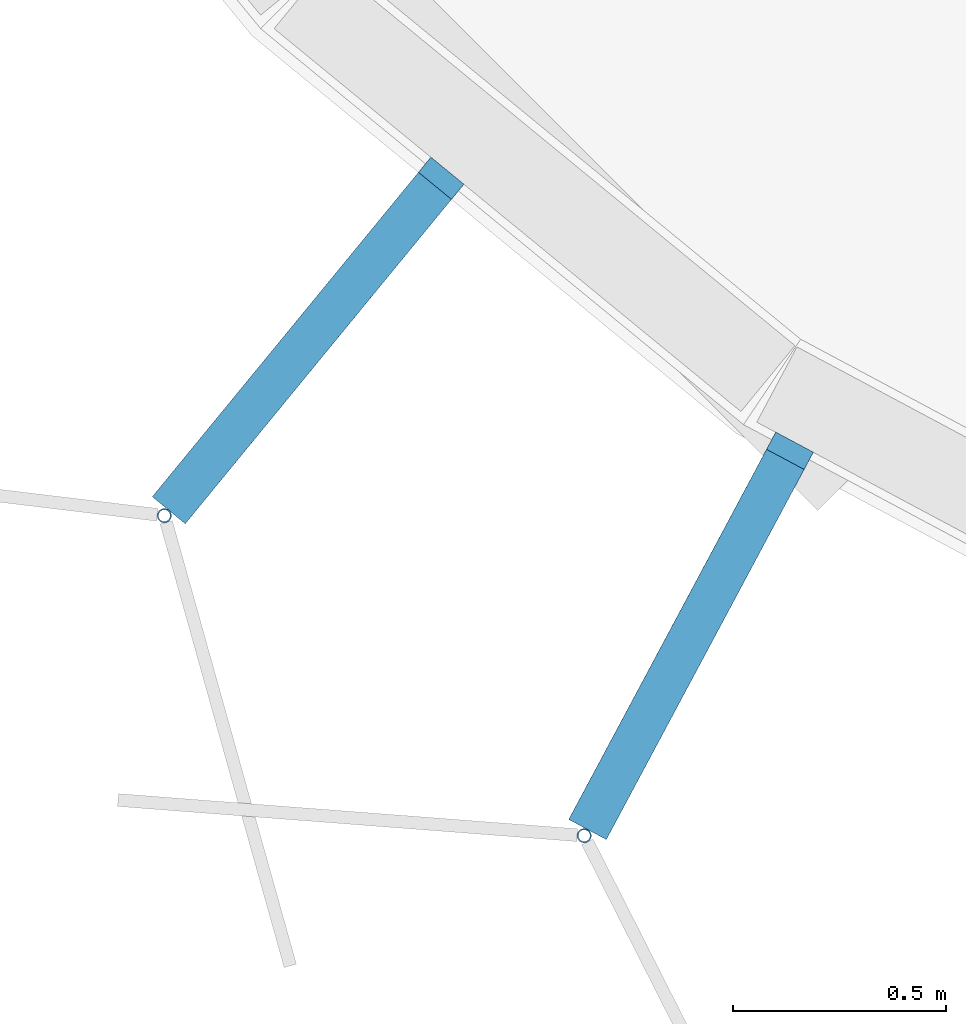
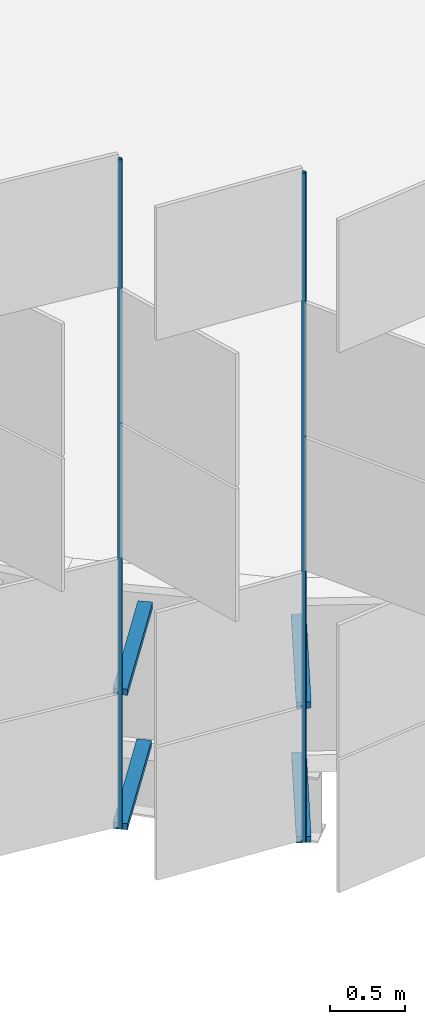
# One storey, part 131 of 483: 6 discrete accessories.
"""IFC4 building model written with IfcOpenShell, lengths in metres."""

from ifc_helpers import new_model, si_unit, direction, frame, origin, origin_2d, place, context, subcontext, project, spatial, rectangle, hollow_circle, extrude, material, material_profile, profile_set, type_object, element, save


model = new_model("IFC4")

# Units and contexts
model_context = context("Model", 3, precision=1e-05, world=origin(), true_north=direction((0.0, 1.0)))
body_context = subcontext(model_context, "Body", "Model", "MODEL_VIEW")
ifc_project = project(units=[si_unit("LENGTHUNIT", "METRE"), si_unit("AREAUNIT", "SQUARE_METRE"), si_unit("VOLUMEUNIT", "CUBIC_METRE"), si_unit("PLANEANGLEUNIT", "RADIAN"), si_unit("MASSUNIT", "GRAM", prefix="KILO")], contexts=[model_context])

# Site, building, storey
site_placement = place(None, origin())
site = spatial("IfcSite", under=ifc_project, at=site_placement, CompositionType="ELEMENT")
building_placement = place(site_placement, origin())
building = spatial("IfcBuilding", under=site, at=building_placement, Name="Parallax Yard Mobility Hub", CompositionType="ELEMENT")
storey_placement = place(building_placement, frame((0.0, 0.0, 13.199951171875)))
storey = spatial("IfcBuildingStorey", under=building, at=storey_placement, Name="L04", CompositionType="ELEMENT", Elevation=13.199951171875)

# Discrete accessories
ifc_material_1 = material(Name="Steel ASTM A36, hot-dip galvanised", Category="steel")
discrete_accessory_type_1 = type_object("IfcDiscreteAccessoryType", Name="Hinge bracket plate 100x50", PredefinedType="BRACKET", material=ifc_material_1)
discrete_accessory_1_placement = place(storey_placement, frame((24.813720703125, 113.964599609375, -0.02490234375), z_axis=(0.0, 0.0, 1.0), x_axis=(-0.634393284164, -0.773010453363, 0.0)))
element("IfcDiscreteAccessory", 1, at=discrete_accessory_1_placement, inside=storey, type_object=discrete_accessory_type_1, Name="Hinge bracket plate bay 72.7 level L04", PredefinedType="BRACKET", context=body_context, shape_type="SweptSolid", body=[
    extrude(rectangle(XDim=0.984130859375, YDim=0.10009765625, at=origin_2d()), origin(), (0.0, 0.0, 1.0), 0.050048828125),
])
discrete_accessory_2_placement = place(storey_placement, frame((24.828369140625, 113.982421875, 1.06982421875), z_axis=(0.0, 0.0, 1.0), x_axis=(-0.634393284164, -0.773010453363, 0.0)))
element("IfcDiscreteAccessory", 2, at=discrete_accessory_2_placement, inside=storey, type_object=discrete_accessory_type_1, Name="Hinge bracket plate bay 72.7 level L04", PredefinedType="BRACKET", context=body_context, shape_type="SweptSolid", body=[
    extrude(rectangle(XDim=1.030029296875, YDim=0.10009765625, at=origin_2d()), origin(), (0.0, 0.0, 1.0), 0.050048828125),
])
discrete_accessory_3_placement = place(storey_placement, frame((25.715576171875, 113.26953125, -0.02490234375), z_axis=(0.0, 0.0, 1.0), x_axis=(-0.471396736826, -0.881921264348, 0.0)))
element("IfcDiscreteAccessory", 3, at=discrete_accessory_3_placement, inside=storey, type_object=discrete_accessory_type_1, Name="Hinge bracket plate bay 72.8 level L04", PredefinedType="BRACKET", context=body_context, shape_type="SweptSolid", body=[
    extrude(rectangle(XDim=0.984130859375, YDim=0.10009765625, at=origin_2d()), origin(), (0.0, 0.0, 1.0), 0.050048828125),
])
discrete_accessory_4_placement = place(storey_placement, frame((25.726318359375, 113.289794921875, 1.06982421875), z_axis=(0.0, 0.0, 1.0), x_axis=(-0.471396736826, -0.881921264348, 0.0)))
element("IfcDiscreteAccessory", 4, at=discrete_accessory_4_placement, inside=storey, type_object=discrete_accessory_type_1, Name="Hinge bracket plate bay 72.8 level L04", PredefinedType="BRACKET", context=body_context, shape_type="SweptSolid", body=[
    extrude(rectangle(XDim=1.030029296875, YDim=0.10009765625, at=origin_2d()), origin(), (0.0, 0.0, 1.0), 0.050048828125),
])
ifc_material_2 = material(Name="Steel ASTM A500 Gr C, hot-dip galvanised", Category="steel")
ifc_material_profile = material_profile(ifc_material_2, hollow_circle(Radius=0.016845703125, WallThickness=0.003173828125, at=origin_2d()), Name="CHS 33.7x3.2")
ifc_profile_set = profile_set([ifc_material_profile], Name="Steel ASTM A500 Gr C, hot-dip galvanised")
discrete_accessory_type_2 = type_object("IfcDiscreteAccessoryType", Name="Hinge post CHS 33.7x3.2", PredefinedType="BRACKET", material=ifc_profile_set)
for number, where, z_axis, x_axis, name in (
    (5, (24.4912109375, 113.571533203125, 0.0), (0.0, 0.0, 1.0), (1.0, 0.0, 0.0), "Hinge post bay 72.7 level L04"),
    (6, (25.475830078125, 112.821044921875, 0.0), (0.0, 0.0, 1.0), (1.0, 0.0, 0.0), "Hinge post bay 72.8 level L04"),
):
    element("IfcDiscreteAccessory", number, at=place(storey_placement, frame(where, z_axis=z_axis, x_axis=x_axis)), inside=storey, type_object=discrete_accessory_type_2, Name=name, PredefinedType="BRACKET", context=body_context, shape_type="SweptSolid", body=[
        extrude(hollow_circle(Radius=0.016845703125, WallThickness=0.003173828125, at=origin_2d()), origin(), (0.0, 0.0, 1.0), 5.449951171875),
    ])

save(model, "model.ifc")
